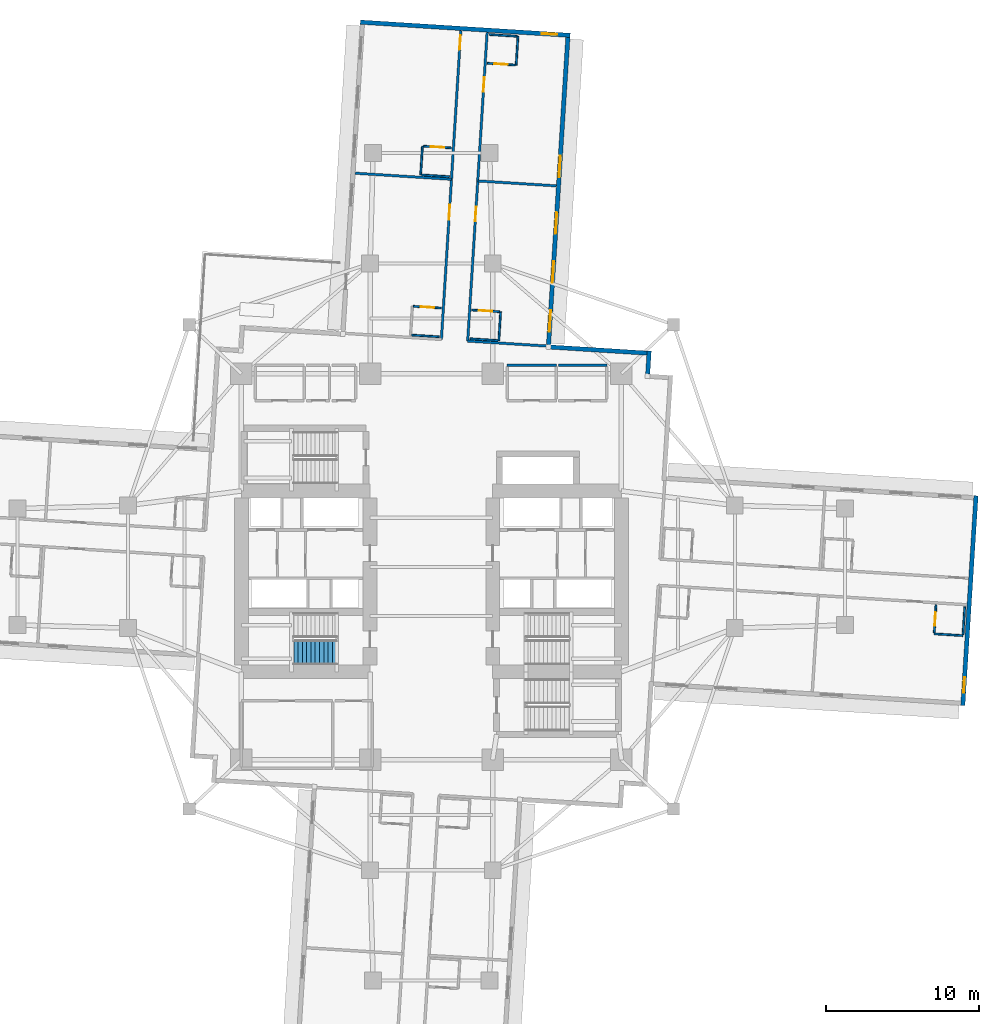
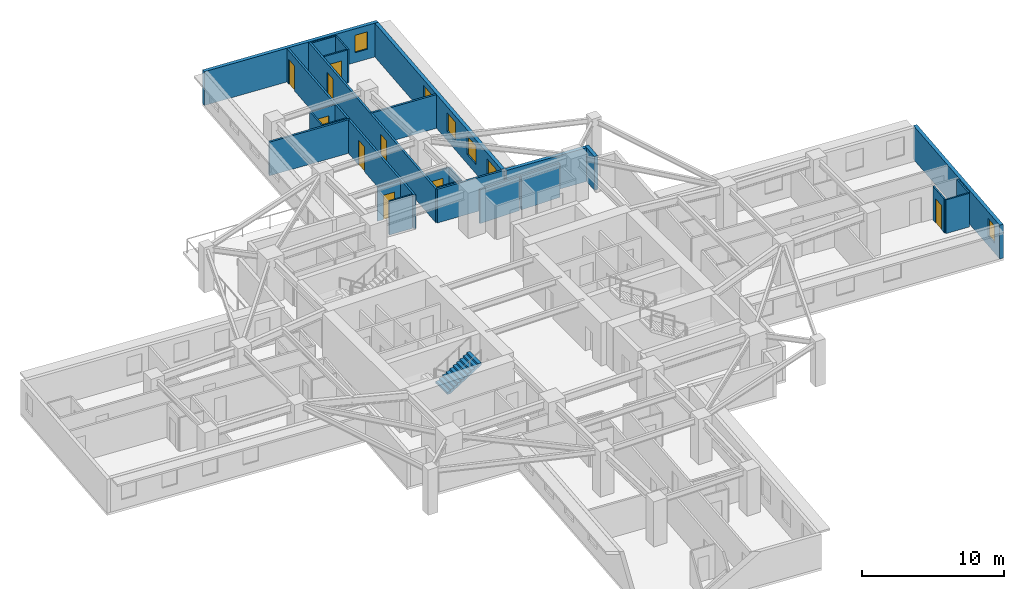
# One storey, part 8 of 14: 26 walls, 9 doors, 6 windows, 1 stair flight, 15 openings, 1 element without a shape of its own.
"""IFC4 building model written with IfcOpenShell, lengths in metres."""

from ifc_helpers import new_model, si_unit, direction, frame, frame_2d, origin, place, context, subcontext, project, spatial, polyline, rectangle, outline, extrude, material, layer, layer_set, type_object, element, fill, aggregate, save


model = new_model("IFC4")

# Units and contexts
model_context = context("Model", 3, precision=1e-05, world=origin(), true_north=direction((0.0, 1.0)))
body_context = subcontext(model_context, "Body", "Model", "MODEL_VIEW")
ifc_project = project(units=[si_unit("LENGTHUNIT", "METRE"), si_unit("AREAUNIT", "SQUARE_METRE"), si_unit("VOLUMEUNIT", "CUBIC_METRE"), si_unit("PLANEANGLEUNIT", "RADIAN"), si_unit("MASSUNIT", "GRAM", prefix="KILO")], contexts=[model_context])

# Site, building, storey
site_placement = place(None, origin())
site = spatial("IfcSite", under=ifc_project, at=site_placement, CompositionType="ELEMENT")
building_placement = place(site_placement, origin())
building = spatial("IfcBuilding", under=site, at=building_placement, Name="Qingluan Cross Belvedere", CompositionType="ELEMENT")
storey_placement = place(building_placement, frame((0.0, 0.0, 87.300048828125)))
storey = spatial("IfcBuildingStorey", under=building, at=storey_placement, Name="L22", CompositionType="ELEMENT", Elevation=87.300048828125)

# Walls
ifc_material_1 = material(Name="Gypsum plasterboard on steel stud acoustic partition", Category="steel")
ifc_layer_1 = layer(ifc_material_1, 0.159912109375, Name="CorridorPartition_160")
ifc_layer_set_1 = layer_set([ifc_layer_1], Name="Gypsum plasterboard on steel stud acoustic partition")
wall_type_1 = type_object("IfcWallType", Name="CorridorPartition_160", PredefinedType="PARTITIONING", material=ifc_layer_set_1)
wall_1_placement = place(storey_placement, frame((4.949951171875, 13.14990234375, 0.0), z_axis=(0.0, 0.0, 1.0), x_axis=(1.0, 0.0, 0.0)))
element("IfcWall", 1, at=wall_1_placement, inside=storey, type_object=wall_type_1, Name="Partition L22:q_ne1:N", PredefinedType="PARTITIONING", context=body_context, shape_type="SweptSolid", body=[
    extrude(rectangle(XDim=3.199951171875, YDim=0.159912109375, at=frame_2d((1.60009765625, 0.0))), origin(), (0.0, 0.0, 1.0), 2.89990234375),
])
wall_2_placement = place(storey_placement, frame((8.31005859375, 13.14990234375, 0.0), z_axis=(0.0, 0.0, 1.0), x_axis=(1.0, 0.0, 0.0)))
element("IfcWall", 2, at=wall_2_placement, inside=storey, type_object=wall_type_1, Name="Partition L22:q_ne2:N", PredefinedType="PARTITIONING", context=body_context, shape_type="SweptSolid", body=[
    extrude(rectangle(XDim=3.139892578125, YDim=0.159912109375, at=frame_2d((1.56982421875, 0.0))), origin(), (0.0, 0.0, 1.0), 2.89990234375),
])

# Wall, openings, doors
wall_3_placement = place(storey_placement, frame((2.36962890625, 14.730224609375, 0.0), z_axis=(0.0, 0.0, 1.0), x_axis=(0.062783460104, 0.998027172545, 0.0)))
wall_3 = element("IfcWall", 3, at=wall_3_placement, inside=storey, type_object=wall_type_1, Name="Partition L22:N:c0", PredefinedType="PARTITIONING", context=body_context, shape_type="SweptSolid", body=[
    extrude(rectangle(XDim=20.181884765625, YDim=0.159912109375, at=frame_2d((10.0908203125, 0.0))), origin(), (0.0, 0.0, 1.0), 2.89990234375),
])
opening_1_placement = place(wall_3_placement, frame((7.8359375, 0.0, 0.0)))
opening_1 = element("IfcOpeningElement", 4, at=opening_1_placement, cuts=wall_3, Name="Opening GD-10", PredefinedType="OPENING", context=body_context, shape_type="SweptSolid", body=[
    extrude(rectangle(XDim=0.9599609375, YDim=2.14990234375, at=frame_2d((0.47998046875, 1.074951171875))), frame((0.0, 0.08984375, 0.0), z_axis=(0.0, -1.0, 0.0), x_axis=(1.0, 0.0, 0.0)), (0.0, 0.0, 1.0), 0.179931640625),
])
opening_2_placement = place(wall_3_placement, frame((16.2958984375, 0.0, 0.0)))
opening_2 = element("IfcOpeningElement", 5, at=opening_2_placement, cuts=wall_3, Name="Opening GD-10", PredefinedType="OPENING", context=body_context, shape_type="SweptSolid", body=[
    extrude(rectangle(XDim=0.9599609375, YDim=2.14990234375, at=frame_2d((0.47998046875, 1.074951171875))), frame((0.0, 0.08984375, 0.0), z_axis=(0.0, -1.0, 0.0), x_axis=(1.0, 0.0, 0.0)), (0.0, 0.0, 1.0), 0.179931640625),
])
ifc_material_2 = material(Name="Timber oak fire-rated acoustic guestroom door", Category="wood")
door_type_1 = type_object("IfcDoorType", Name="GuestEntryDoor_FD60", OperationType="NOTDEFINED", PredefinedType="DOOR", material=ifc_material_2)
door_1_placement = place(opening_1_placement, origin())
door_1 = element("IfcDoor", 6, at=door_1_placement, inside=storey, type_object=door_type_1, Name="Guest entry fire door 2209", OperationType="SINGLE_SWING_LEFT", OverallHeight=2.14990234375, OverallWidth=0.9599609375, PredefinedType="DOOR", context=body_context, shape_type="SweptSolid", body=[
    extrude(rectangle(XDim=0.9599609375, YDim=2.14990234375, at=frame_2d((0.47998046875, 1.074951171875))), frame((0.0, 0.02490234375, 0.0), z_axis=(0.0, -1.0, 0.0), x_axis=(1.0, 0.0, 0.0)), (0.0, 0.0, 1.0), 0.050048828125),
])
fill(opening_1, door_1)
door_2_placement = place(opening_2_placement, origin())
door_2 = element("IfcDoor", 7, at=door_2_placement, inside=storey, type_object=door_type_1, Name="Guest entry fire door 2210", OperationType="SINGLE_SWING_LEFT", OverallHeight=2.14990234375, OverallWidth=0.9599609375, PredefinedType="DOOR", context=body_context, shape_type="SweptSolid", body=[
    extrude(rectangle(XDim=0.9599609375, YDim=2.14990234375, at=frame_2d((0.47998046875, 1.074951171875))), frame((0.0, 0.02490234375, 0.0), z_axis=(0.0, -1.0, 0.0), x_axis=(1.0, 0.0, 0.0)), (0.0, 0.0, 1.0), 0.050048828125),
])
fill(opening_2, door_2)

# Walls
wall_4_placement = place(storey_placement, frame((2.36962890625, 14.730224609375, 0.0), z_axis=(0.0, 0.0, 1.0), x_axis=(0.998026584059, -0.062792814175, 0.0)))
element("IfcWall", 8, at=wall_4_placement, inside=storey, type_object=wall_type_1, Name="Partition L22:N:s0", PredefinedType="PARTITIONING", context=body_context, shape_type="SweptSolid", body=[
    extrude(rectangle(XDim=5.280029296875, YDim=0.159912109375, at=frame_2d((2.64013671875, 0.0))), origin(), (0.0, 0.0, 1.0), 2.89990234375),
])
wall_5_placement = place(storey_placement, frame((3.027099609375, 25.1796875, 0.0), z_axis=(0.0, 0.0, 1.0), x_axis=(0.998026390953, -0.062795883315, 0.0)))
element("IfcWall", 9, at=wall_5_placement, inside=storey, type_object=wall_type_1, Name="Partition L22:N:d0_0", PredefinedType="PARTITIONING", context=body_context, shape_type="SweptSolid", body=[
    extrude(rectangle(XDim=5.1318359375, YDim=0.159912109375, at=frame_2d((2.56591796875, 0.0))), origin(), (0.0, 0.0, 1.0), 2.89990234375),
])

# Wall, openings, doors
wall_6_placement = place(storey_placement, frame((0.653076171875, 14.83837890625, 0.0), z_axis=(0.0, 0.0, 1.0), x_axis=(0.062783460104, 0.998027172545, 0.0)))
wall_6 = element("IfcWall", 10, at=wall_6_placement, inside=storey, type_object=wall_type_1, Name="Partition L22:N:c1", PredefinedType="PARTITIONING", context=body_context, shape_type="SweptSolid", body=[
    extrude(rectangle(XDim=20.181884765625, YDim=0.159912109375, at=frame_2d((10.0908203125, 0.0))), origin(), (0.0, 0.0, 1.0), 2.89990234375),
])
opening_3_placement = place(wall_6_placement, frame((7.8359375, 0.0, 0.0)))
opening_3 = element("IfcOpeningElement", 11, at=opening_3_placement, cuts=wall_6, Name="Opening GD-10", PredefinedType="OPENING", context=body_context, shape_type="SweptSolid", body=[
    extrude(rectangle(XDim=0.9599609375, YDim=2.14990234375, at=frame_2d((0.47998046875, 1.074951171875))), frame((0.0, 0.08984375, 0.0), z_axis=(0.0, -1.0, 0.0), x_axis=(1.0, 0.0, 0.0)), (0.0, 0.0, 1.0), 0.179931640625),
])
opening_4_placement = place(wall_6_placement, frame((18.929931640625, 0.0, 0.0)))
opening_4 = element("IfcOpeningElement", 12, at=opening_4_placement, cuts=wall_6, Name="Opening GD-10", PredefinedType="OPENING", context=body_context, shape_type="SweptSolid", body=[
    extrude(rectangle(XDim=0.9599609375, YDim=2.14990234375, at=frame_2d((0.47998046875, 1.074951171875))), frame((0.0, 0.08984375, 0.0), z_axis=(0.0, -1.0, 0.0), x_axis=(1.0, 0.0, 0.0)), (0.0, 0.0, 1.0), 0.179931640625),
])
door_3_placement = place(opening_3_placement, origin())
door_3 = element("IfcDoor", 13, at=door_3_placement, inside=storey, type_object=door_type_1, Name="Guest entry fire door 2211", OperationType="SINGLE_SWING_LEFT", OverallHeight=2.14990234375, OverallWidth=0.9599609375, PredefinedType="DOOR", context=body_context, shape_type="SweptSolid", body=[
    extrude(rectangle(XDim=0.9599609375, YDim=2.14990234375, at=frame_2d((0.47998046875, 1.074951171875))), frame((0.0, 0.02490234375, 0.0), z_axis=(0.0, -1.0, 0.0), x_axis=(1.0, 0.0, 0.0)), (0.0, 0.0, 1.0), 0.050048828125),
])
fill(opening_3, door_3)
door_4_placement = place(opening_4_placement, origin())
door_4 = element("IfcDoor", 14, at=door_4_placement, inside=storey, type_object=door_type_1, Name="Guest entry fire door 2212", OperationType="SINGLE_SWING_LEFT", OverallHeight=2.14990234375, OverallWidth=0.9599609375, PredefinedType="DOOR", context=body_context, shape_type="SweptSolid", body=[
    extrude(rectangle(XDim=0.9599609375, YDim=2.14990234375, at=frame_2d((0.47998046875, 1.074951171875))), frame((0.0, 0.02490234375, 0.0), z_axis=(0.0, -1.0, 0.0), x_axis=(1.0, 0.0, 0.0)), (0.0, 0.0, 1.0), 0.050048828125),
])
fill(opening_4, door_4)

# Wall
wall_7_placement = place(storey_placement, frame((1.310302734375, 25.28759765625, 0.0), z_axis=(0.0, 0.0, 1.0), x_axis=(-0.998027283173, 0.062781701496, 0.0)))
element("IfcWall", 15, at=wall_7_placement, inside=storey, type_object=wall_type_1, Name="Partition L22:N:d1_0", PredefinedType="PARTITIONING", context=body_context, shape_type="SweptSolid", body=[
    extrude(rectangle(XDim=6.2919921875, YDim=0.159912109375, at=frame_2d((3.14599609375, 0.0))), origin(), (0.0, 0.0, 1.0), 2.89990234375),
])

# Wall, opening, door
ifc_material_3 = material(Name="Moisture-resistant gypsum board lining")
ifc_layer_2 = layer(ifc_material_3, 0.1201171875, Name="EnsuiteWetPartition_120")
ifc_layer_set_2 = layer_set([ifc_layer_2], Name="Moisture-resistant gypsum board lining")
wall_type_2 = type_object("IfcWallType", Name="EnsuiteWetPartition_120", PredefinedType="PARTITIONING", material=ifc_layer_set_2)
wall_8_placement = place(storey_placement, frame((32.814208984375, -4.308837890625, 0.0), z_axis=(0.0, 0.0, 1.0), x_axis=(0.062779145668, 0.998027443946, 0.0)))
wall_8 = element("IfcWall", 16, at=wall_8_placement, inside=storey, type_object=wall_type_2, Name="Partition L22:E:bs1_1", PredefinedType="PARTITIONING", context=body_context, shape_type="SweptSolid", body=[
    extrude(rectangle(XDim=1.820068359375, YDim=0.1201171875, at=frame_2d((0.91015625, 0.0))), origin(), (0.0, 0.0, 1.0), 2.89990234375),
])
opening_5_placement = place(wall_8_placement, frame((0.469970703125, 0.0, 0.0)))
opening_5 = element("IfcOpeningElement", 17, at=opening_5_placement, cuts=wall_8, Name="Opening BD-09", PredefinedType="OPENING", context=body_context, shape_type="SweptSolid", body=[
    extrude(rectangle(XDim=0.8798828125, YDim=2.10009765625, at=frame_2d((0.43994140625, 1.050048828125))), frame((0.0, 0.070068359375, 0.0), z_axis=(0.0, -1.0, 0.0), x_axis=(1.0, 0.0, 0.0)), (0.0, 0.0, 1.0), 0.14013671875),
])
ifc_material_4 = material(Name="Moisture-sealed timber en-suite door", Category="wood")
door_type_2 = type_object("IfcDoorType", Name="BathroomDoor_880", OperationType="NOTDEFINED", PredefinedType="DOOR", material=ifc_material_4)
door_5_placement = place(opening_5_placement, origin())
door_5 = element("IfcDoor", 18, at=door_5_placement, inside=storey, type_object=door_type_2, Name="Bathroom door 2204", OperationType="SINGLE_SWING_RIGHT", OverallHeight=2.10009765625, OverallWidth=0.8798828125, PredefinedType="DOOR", context=body_context, shape_type="SweptSolid", body=[
    extrude(rectangle(XDim=0.8798828125, YDim=2.10009765625, at=frame_2d((0.43994140625, 1.050048828125))), frame((0.0, 0.02490234375, 0.0), z_axis=(0.0, -1.0, 0.0), x_axis=(1.0, 0.0, 0.0)), (0.0, 0.0, 1.0), 0.050048828125),
])
fill(opening_5, door_5)

# Walls
wall_9_placement = place(storey_placement, frame((34.6904296875, -4.427001953125, 0.0), z_axis=(0.0, 0.0, 1.0), x_axis=(0.062779145668, 0.998027443946, 0.0)))
element("IfcWall", 19, at=wall_9_placement, inside=storey, type_object=wall_type_2, Name="Partition L22:E:bw1_1", PredefinedType="PARTITIONING", context=body_context, shape_type="SweptSolid", body=[
    extrude(rectangle(XDim=1.820068359375, YDim=0.1201171875, at=frame_2d((0.91015625, 0.0))), origin(), (0.0, 0.0, 1.0), 2.89990234375),
])
wall_10_placement = place(storey_placement, frame((32.81005859375, -4.373779296875, 0.0), z_axis=(0.0, 0.0, 1.0), x_axis=(0.998030789148, -0.062725942896, 0.0)))
element("IfcWall", 20, at=wall_10_placement, inside=storey, type_object=wall_type_2, Name="Partition L22:E:bc1_1", PredefinedType="PARTITIONING", context=body_context, shape_type="SweptSolid", body=[
    extrude(rectangle(XDim=1.8798828125, YDim=0.1201171875, at=frame_2d((0.93994140625, 0.0))), origin(), (0.0, 0.0, 1.0), 2.89990234375),
])

# Wall, opening, door
wall_11_placement = place(storey_placement, frame((2.637451171875, 16.757568359375, 0.0), z_axis=(0.0, 0.0, 1.0), x_axis=(0.998027443946, -0.062779145668, 0.0)))
wall_11 = element("IfcWall", 21, at=wall_11_placement, inside=storey, type_object=wall_type_2, Name="Partition L22:N:bs0_0", PredefinedType="PARTITIONING", context=body_context, shape_type="SweptSolid", body=[
    extrude(rectangle(XDim=1.820068359375, YDim=0.1201171875, at=frame_2d((0.91015625, 0.0))), origin(), (0.0, 0.0, 1.0), 2.89990234375),
])
opening_6_placement = place(wall_11_placement, frame((0.469970703125, 0.0, 0.0)))
opening_6 = element("IfcOpeningElement", 22, at=opening_6_placement, cuts=wall_11, Name="Opening BD-09", PredefinedType="OPENING", context=body_context, shape_type="SweptSolid", body=[
    extrude(rectangle(XDim=0.8798828125, YDim=2.10009765625, at=frame_2d((0.43994140625, 1.050048828125))), frame((0.0, 0.070068359375, 0.0), z_axis=(0.0, -1.0, 0.0), x_axis=(1.0, 0.0, 0.0)), (0.0, 0.0, 1.0), 0.14013671875),
])
door_6_placement = place(opening_6_placement, origin())
door_6 = element("IfcDoor", 23, at=door_6_placement, inside=storey, type_object=door_type_2, Name="Bathroom door 2209", OperationType="SINGLE_SWING_RIGHT", OverallHeight=2.10009765625, OverallWidth=0.8798828125, PredefinedType="DOOR", context=body_context, shape_type="SweptSolid", body=[
    extrude(rectangle(XDim=0.8798828125, YDim=2.10009765625, at=frame_2d((0.43994140625, 1.050048828125))), frame((0.0, 0.02490234375, 0.0), z_axis=(0.0, -1.0, 0.0), x_axis=(1.0, 0.0, 0.0)), (0.0, 0.0, 1.0), 0.050048828125),
])
fill(opening_6, door_6)

# Walls
wall_12_placement = place(storey_placement, frame((2.519287109375, 14.881103515625, 0.0), z_axis=(0.0, 0.0, 1.0), x_axis=(0.998027443946, -0.062779145668, 0.0)))
element("IfcWall", 24, at=wall_12_placement, inside=storey, type_object=wall_type_2, Name="Partition L22:N:bw0_0", PredefinedType="PARTITIONING", context=body_context, shape_type="SweptSolid", body=[
    extrude(rectangle(XDim=1.820068359375, YDim=0.1201171875, at=frame_2d((0.91015625, 0.0))), origin(), (0.0, 0.0, 1.0), 2.89990234375),
])
wall_13_placement = place(storey_placement, frame((4.400634765625, 14.7626953125, 0.0), z_axis=(0.0, 0.0, 1.0), x_axis=(0.062847152131, 0.998023163794, 0.0)))
element("IfcWall", 25, at=wall_13_placement, inside=storey, type_object=wall_type_2, Name="Partition L22:N:bn0_0", PredefinedType="PARTITIONING", context=body_context, shape_type="SweptSolid", body=[
    extrude(rectangle(XDim=1.880126953125, YDim=0.1201171875, at=frame_2d((0.93994140625, 0.0))), origin(), (0.0, 0.0, 1.0), 2.89990234375),
])

# Wall, opening, door
wall_14_placement = place(storey_placement, frame((3.650146484375, 32.855712890625, 0.0), z_axis=(0.0, 0.0, 1.0), x_axis=(0.998027443946, -0.062779145668, 0.0)))
wall_14 = element("IfcWall", 26, at=wall_14_placement, inside=storey, type_object=wall_type_2, Name="Partition L22:N:bs0_1", PredefinedType="PARTITIONING", context=body_context, shape_type="SweptSolid", body=[
    extrude(rectangle(XDim=1.820068359375, YDim=0.1201171875, at=frame_2d((0.91015625, 0.0))), origin(), (0.0, 0.0, 1.0), 2.89990234375),
])
opening_7_placement = place(wall_14_placement, frame((0.469970703125, 0.0, 0.0)))
opening_7 = element("IfcOpeningElement", 27, at=opening_7_placement, cuts=wall_14, Name="Opening BD-09", PredefinedType="OPENING", context=body_context, shape_type="SweptSolid", body=[
    extrude(rectangle(XDim=0.8798828125, YDim=2.10009765625, at=frame_2d((0.43994140625, 1.050048828125))), frame((0.0, 0.070068359375, 0.0), z_axis=(0.0, -1.0, 0.0), x_axis=(1.0, 0.0, 0.0)), (0.0, 0.0, 1.0), 0.14013671875),
])
door_7_placement = place(opening_7_placement, origin())
door_7 = element("IfcDoor", 28, at=door_7_placement, inside=storey, type_object=door_type_2, Name="Bathroom door 2210", OperationType="SINGLE_SWING_RIGHT", OverallHeight=2.10009765625, OverallWidth=0.8798828125, PredefinedType="DOOR", context=body_context, shape_type="SweptSolid", body=[
    extrude(rectangle(XDim=0.8798828125, YDim=2.10009765625, at=frame_2d((0.43994140625, 1.050048828125))), frame((0.0, 0.02490234375, 0.0), z_axis=(0.0, -1.0, 0.0), x_axis=(1.0, 0.0, 0.0)), (0.0, 0.0, 1.0), 0.050048828125),
])
fill(opening_7, door_7)

# Walls
wall_15_placement = place(storey_placement, frame((3.768310546875, 34.73193359375, 0.0), z_axis=(0.0, 0.0, 1.0), x_axis=(0.998027443946, -0.062779145668, 0.0)))
element("IfcWall", 29, at=wall_15_placement, inside=storey, type_object=wall_type_2, Name="Partition L22:N:bw0_1", PredefinedType="PARTITIONING", context=body_context, shape_type="SweptSolid", body=[
    extrude(rectangle(XDim=1.820068359375, YDim=0.1201171875, at=frame_2d((0.91015625, 0.0))), origin(), (0.0, 0.0, 1.0), 2.89990234375),
])
wall_16_placement = place(storey_placement, frame((5.531494140625, 32.7373046875, 0.0), z_axis=(0.0, 0.0, 1.0), x_axis=(0.062855297722, 0.998022650819, 0.0)))
element("IfcWall", 30, at=wall_16_placement, inside=storey, type_object=wall_type_2, Name="Partition L22:N:bn0_1", PredefinedType="PARTITIONING", context=body_context, shape_type="SweptSolid", body=[
    extrude(rectangle(XDim=1.8798828125, YDim=0.1201171875, at=frame_2d((0.93994140625, 0.0))), origin(), (0.0, 0.0, 1.0), 2.89990234375),
])

# Wall, opening, door
wall_17_placement = place(storey_placement, frame((-1.175048828125, 16.997314453125, 0.0), z_axis=(0.0, 0.0, 1.0), x_axis=(0.998027443946, -0.062779145668, 0.0)))
wall_17 = element("IfcWall", 31, at=wall_17_placement, inside=storey, type_object=wall_type_2, Name="Partition L22:N:bs1_0", PredefinedType="PARTITIONING", context=body_context, shape_type="SweptSolid", body=[
    extrude(rectangle(XDim=1.820068359375, YDim=0.1201171875, at=frame_2d((0.91015625, 0.0))), origin(), (0.0, 0.0, 1.0), 2.89990234375),
])
opening_8_placement = place(wall_17_placement, frame((0.469970703125, 0.0, 0.0)))
opening_8 = element("IfcOpeningElement", 32, at=opening_8_placement, cuts=wall_17, Name="Opening BD-09", PredefinedType="OPENING", context=body_context, shape_type="SweptSolid", body=[
    extrude(rectangle(XDim=0.8798828125, YDim=2.10009765625, at=frame_2d((0.43994140625, 1.050048828125))), frame((0.0, 0.070068359375, 0.0), z_axis=(0.0, -1.0, 0.0), x_axis=(1.0, 0.0, 0.0)), (0.0, 0.0, 1.0), 0.14013671875),
])
door_8_placement = place(opening_8_placement, origin())
door_8 = element("IfcDoor", 33, at=door_8_placement, inside=storey, type_object=door_type_2, Name="Bathroom door 2211", OperationType="SINGLE_SWING_RIGHT", OverallHeight=2.10009765625, OverallWidth=0.8798828125, PredefinedType="DOOR", context=body_context, shape_type="SweptSolid", body=[
    extrude(rectangle(XDim=0.8798828125, YDim=2.10009765625, at=frame_2d((0.43994140625, 1.050048828125))), frame((0.0, 0.02490234375, 0.0), z_axis=(0.0, -1.0, 0.0), x_axis=(1.0, 0.0, 0.0)), (0.0, 0.0, 1.0), 0.050048828125),
])
fill(opening_8, door_8)

# Wall
wall_18_placement = place(storey_placement, frame((-1.293212890625, 15.12109375, 0.0), z_axis=(0.0, 0.0, 1.0), x_axis=(0.998027443946, -0.062779145668, 0.0)))
element("IfcWall", 34, at=wall_18_placement, inside=storey, type_object=wall_type_2, Name="Partition L22:N:bw1_0", PredefinedType="PARTITIONING", context=body_context, shape_type="SweptSolid", body=[
    extrude(rectangle(XDim=1.820068359375, YDim=0.1201171875, at=frame_2d((0.91015625, 0.0))), origin(), (0.0, 0.0, 1.0), 2.89990234375),
])

# Wall, opening, door
wall_19_placement = place(storey_placement, frame((-0.517578125, 27.44677734375, 0.0), z_axis=(0.0, 0.0, 1.0), x_axis=(0.998027443946, -0.062779145668, 0.0)))
wall_19 = element("IfcWall", 35, at=wall_19_placement, inside=storey, type_object=wall_type_2, Name="Partition L22:N:bs1_1", PredefinedType="PARTITIONING", context=body_context, shape_type="SweptSolid", body=[
    extrude(rectangle(XDim=1.820068359375, YDim=0.1201171875, at=frame_2d((0.91015625, 0.0))), origin(), (0.0, 0.0, 1.0), 2.89990234375),
])
opening_9_placement = place(wall_19_placement, frame((0.469970703125, 0.0, 0.0)))
opening_9 = element("IfcOpeningElement", 36, at=opening_9_placement, cuts=wall_19, Name="Opening BD-09", PredefinedType="OPENING", context=body_context, shape_type="SweptSolid", body=[
    extrude(rectangle(XDim=0.8798828125, YDim=2.10009765625, at=frame_2d((0.43994140625, 1.050048828125))), frame((0.0, 0.070068359375, 0.0), z_axis=(0.0, -1.0, 0.0), x_axis=(1.0, 0.0, 0.0)), (0.0, 0.0, 1.0), 0.14013671875),
])
door_9_placement = place(opening_9_placement, origin())
door_9 = element("IfcDoor", 37, at=door_9_placement, inside=storey, type_object=door_type_2, Name="Bathroom door 2212", OperationType="SINGLE_SWING_RIGHT", OverallHeight=2.10009765625, OverallWidth=0.8798828125, PredefinedType="DOOR", context=body_context, shape_type="SweptSolid", body=[
    extrude(rectangle(XDim=0.8798828125, YDim=2.10009765625, at=frame_2d((0.43994140625, 1.050048828125))), frame((0.0, 0.02490234375, 0.0), z_axis=(0.0, -1.0, 0.0), x_axis=(1.0, 0.0, 0.0)), (0.0, 0.0, 1.0), 0.050048828125),
])
fill(opening_9, door_9)

# Walls
wall_20_placement = place(storey_placement, frame((-0.6357421875, 25.5703125, 0.0), z_axis=(0.0, 0.0, 1.0), x_axis=(0.998027443946, -0.062779145668, 0.0)))
element("IfcWall", 38, at=wall_20_placement, inside=storey, type_object=wall_type_2, Name="Partition L22:N:bw1_1", PredefinedType="PARTITIONING", context=body_context, shape_type="SweptSolid", body=[
    extrude(rectangle(XDim=1.820068359375, YDim=0.1201171875, at=frame_2d((0.91015625, 0.0))), origin(), (0.0, 0.0, 1.0), 2.89990234375),
])
wall_21_placement = place(storey_placement, frame((-0.700439453125, 25.574462890625, 0.0), z_axis=(0.0, 0.0, 1.0), x_axis=(0.062725942896, 0.998030789148, 0.0)))
element("IfcWall", 39, at=wall_21_placement, inside=storey, type_object=wall_type_2, Name="Partition L22:N:bc1_1", PredefinedType="PARTITIONING", context=body_context, shape_type="SweptSolid", body=[
    extrude(rectangle(XDim=1.8798828125, YDim=0.1201171875, at=frame_2d((0.93994140625, 0.0))), origin(), (0.0, 0.0, 1.0), 2.89990234375),
])

# Wall, opening, window
ifc_material_5 = material(Name="Precast concrete C45", Category="concrete")
ifc_layer_3 = layer(ifc_material_5, 0.280029296875, Name="PrecastFacadeWall_280")
ifc_layer_set_3 = layer_set([ifc_layer_3], Name="Precast concrete C45")
wall_type_3 = type_object("IfcWallType", Name="PrecastFacadeWall_280", PredefinedType="STANDARD", material=ifc_layer_set_3)
wall_22_placement = place(storey_placement, frame((34.6796875, -9.055419921875, 0.0), z_axis=(0.0, 0.0, 1.0), x_axis=(0.062797041623, 0.998026318072, 0.0)))
wall_22 = element("IfcWall", 40, at=wall_22_placement, inside=storey, type_object=wall_type_3, Name="Arm tip precast facade wall L22-E", PredefinedType="STANDARD", context=body_context, shape_type="SweptSolid", body=[
    extrude(rectangle(XDim=13.719970703125, YDim=0.280029296875, at=frame_2d((6.85986328125, 0.0))), origin(), (0.0, 0.0, 1.0), 2.909912109375),
])
opening_10_placement = place(wall_22_placement, frame((0.85009765625, 0.0, 0.85009765625)))
opening_10 = element("IfcOpeningElement", 41, at=opening_10_placement, cuts=wall_22, Name="Opening W-03", PredefinedType="OPENING", context=body_context, shape_type="SweptSolid", body=[
    extrude(rectangle(XDim=1.0, YDim=1.5, at=frame_2d((0.5, 0.75))), frame((0.0, 0.14990234375, 0.0), z_axis=(0.0, -1.0, 0.0), x_axis=(1.0, 0.0, 0.0)), (0.0, 0.0, 1.0), 0.300048828125),
])
ifc_material_6 = material(Name="Thermally broken triple Low-E glass in aluminium frame", Category="aluminium")
window_type_1 = type_object("IfcWindowType", Name="TriApexWin_1000x1500", PartitioningType="SINGLE_PANEL", PredefinedType="WINDOW", material=ifc_material_6)
window_1_placement = place(opening_10_placement, origin())
window_1 = element("IfcWindow", 42, at=window_1_placement, inside=storey, type_object=window_type_1, Name="Arm tip triangular window L22-E", OverallHeight=1.5, OverallWidth=1.0, PartitioningType="SINGLE_PANEL", PredefinedType="WINDOW", context=body_context, shape_type="SweptSolid", body=[
    extrude(rectangle(XDim=1.0, YDim=1.5, at=frame_2d((0.5, 0.75))), frame((0.0, 0.030029296875, 0.0), z_axis=(0.0, -1.0, 0.0), x_axis=(1.0, 0.0, 0.0)), (0.0, 0.0, 1.0), 0.06005859375),
])
fill(opening_10, window_1)

# Wall, openings, windows
wall_23_placement = place(storey_placement, frame((7.644775390625, 14.488525390625, 0.0), z_axis=(0.0, 0.0, 1.0), x_axis=(0.06279645424, 0.99802635503, 0.0)))
wall_23 = element("IfcWall", 43, at=wall_23_placement, inside=storey, type_object=wall_type_3, Name="Facade wall L22-NA", PredefinedType="STANDARD", context=body_context, shape_type="SweptSolid", body=[
    extrude(rectangle(XDim=20.099853515625, YDim=0.280029296875, at=frame_2d((10.0498046875, 0.0))), origin(), (0.0, 0.0, 1.0), 2.909912109375),
])
opening_11_placement = place(wall_23_placement, frame((0.85009765625, 0.0, 0.800048828125)))
opening_11 = element("IfcOpeningElement", 44, at=opening_11_placement, cuts=wall_23, Name="Opening W-01", PredefinedType="OPENING", context=body_context, shape_type="SweptSolid", body=[
    extrude(rectangle(XDim=1.39990234375, YDim=1.60009765625, at=frame_2d((0.699951171875, 0.800048828125))), frame((0.0, 0.14990234375, 0.0), z_axis=(0.0, -1.0, 0.0), x_axis=(1.0, 0.0, 0.0)), (0.0, 0.0, 1.0), 0.300048828125),
])
opening_12_placement = place(wall_23_placement, frame((4.050048828125, 0.0, 0.800048828125)))
opening_12 = element("IfcOpeningElement", 45, at=opening_12_placement, cuts=wall_23, Name="Opening W-01", PredefinedType="OPENING", context=body_context, shape_type="SweptSolid", body=[
    extrude(rectangle(XDim=1.39990234375, YDim=1.60009765625, at=frame_2d((0.699951171875, 0.800048828125))), frame((0.0, 0.14990234375, 0.0), z_axis=(0.0, -1.0, 0.0), x_axis=(1.0, 0.0, 0.0)), (0.0, 0.0, 1.0), 0.300048828125),
])
opening_13_placement = place(wall_23_placement, frame((7.25, 0.0, 0.800048828125)))
opening_13 = element("IfcOpeningElement", 46, at=opening_13_placement, cuts=wall_23, Name="Opening W-01", PredefinedType="OPENING", context=body_context, shape_type="SweptSolid", body=[
    extrude(rectangle(XDim=1.39990234375, YDim=1.60009765625, at=frame_2d((0.699951171875, 0.800048828125))), frame((0.0, 0.14990234375, 0.0), z_axis=(0.0, -1.0, 0.0), x_axis=(1.0, 0.0, 0.0)), (0.0, 0.0, 1.0), 0.300048828125),
])
opening_14_placement = place(wall_23_placement, frame((10.949951171875, 0.0, 0.800048828125)))
opening_14 = element("IfcOpeningElement", 47, at=opening_14_placement, cuts=wall_23, Name="Opening W-01", PredefinedType="OPENING", context=body_context, shape_type="SweptSolid", body=[
    extrude(rectangle(XDim=1.39990234375, YDim=1.60009765625, at=frame_2d((0.699951171875, 0.800048828125))), frame((0.0, 0.14990234375, 0.0), z_axis=(0.0, -1.0, 0.0), x_axis=(1.0, 0.0, 0.0)), (0.0, 0.0, 1.0), 0.300048828125),
])
ifc_material_7 = material(Name="Thermally broken triple Low-E glass in aluminium frame", Category="aluminium")
window_type_2 = type_object("IfcWindowType", Name="TriRibbonWin_1400x1600", PartitioningType="SINGLE_PANEL", PredefinedType="WINDOW", material=ifc_material_7)
window_2_placement = place(opening_11_placement, origin())
window_2 = element("IfcWindow", 48, at=window_2_placement, inside=storey, type_object=window_type_2, Name="Ribbon window L22-NA-1", OverallHeight=1.60009765625, OverallWidth=1.39990234375, PartitioningType="SINGLE_PANEL", PredefinedType="WINDOW", context=body_context, shape_type="SweptSolid", body=[
    extrude(rectangle(XDim=1.39990234375, YDim=1.60009765625, at=frame_2d((0.699951171875, 0.800048828125))), frame((0.0, 0.030029296875, 0.0), z_axis=(0.0, -1.0, 0.0), x_axis=(1.0, 0.0, 0.0)), (0.0, 0.0, 1.0), 0.06005859375),
])
fill(opening_11, window_2)
window_3_placement = place(opening_12_placement, origin())
window_3 = element("IfcWindow", 49, at=window_3_placement, inside=storey, type_object=window_type_2, Name="Ribbon window L22-NA-2", OverallHeight=1.60009765625, OverallWidth=1.39990234375, PartitioningType="SINGLE_PANEL", PredefinedType="WINDOW", context=body_context, shape_type="SweptSolid", body=[
    extrude(rectangle(XDim=1.39990234375, YDim=1.60009765625, at=frame_2d((0.699951171875, 0.800048828125))), frame((0.0, 0.030029296875, 0.0), z_axis=(0.0, -1.0, 0.0), x_axis=(1.0, 0.0, 0.0)), (0.0, 0.0, 1.0), 0.06005859375),
])
fill(opening_12, window_3)
window_4_placement = place(opening_13_placement, origin())
window_4 = element("IfcWindow", 50, at=window_4_placement, inside=storey, type_object=window_type_2, Name="Ribbon window L22-NA-3", OverallHeight=1.60009765625, OverallWidth=1.39990234375, PartitioningType="SINGLE_PANEL", PredefinedType="WINDOW", context=body_context, shape_type="SweptSolid", body=[
    extrude(rectangle(XDim=1.39990234375, YDim=1.60009765625, at=frame_2d((0.699951171875, 0.800048828125))), frame((0.0, 0.030029296875, 0.0), z_axis=(0.0, -1.0, 0.0), x_axis=(1.0, 0.0, 0.0)), (0.0, 0.0, 1.0), 0.06005859375),
])
fill(opening_13, window_4)
window_5_placement = place(opening_14_placement, origin())
window_5 = element("IfcWindow", 51, at=window_5_placement, inside=storey, type_object=window_type_2, Name="Ribbon window L22-NA-4", OverallHeight=1.60009765625, OverallWidth=1.39990234375, PartitioningType="SINGLE_PANEL", PredefinedType="WINDOW", context=body_context, shape_type="SweptSolid", body=[
    extrude(rectangle(XDim=1.39990234375, YDim=1.60009765625, at=frame_2d((0.699951171875, 0.800048828125))), frame((0.0, 0.030029296875, 0.0), z_axis=(0.0, -1.0, 0.0), x_axis=(1.0, 0.0, 0.0)), (0.0, 0.0, 1.0), 0.06005859375),
])
fill(opening_14, window_5)

# Wall, opening, window
wall_24_placement = place(storey_placement, frame((9.055419921875, 34.6796875, 0.0), z_axis=(0.0, 0.0, 1.0), x_axis=(-0.998026318072, 0.062797041623, 0.0)))
wall_24 = element("IfcWall", 52, at=wall_24_placement, inside=storey, type_object=wall_type_3, Name="Arm tip precast facade wall L22-N", PredefinedType="STANDARD", context=body_context, shape_type="SweptSolid", body=[
    extrude(rectangle(XDim=13.719970703125, YDim=0.280029296875, at=frame_2d((6.85986328125, 0.0))), origin(), (0.0, 0.0, 1.0), 2.909912109375),
])
opening_15_placement = place(wall_24_placement, frame((0.85009765625, 0.0, 0.85009765625)))
opening_15 = element("IfcOpeningElement", 53, at=opening_15_placement, cuts=wall_24, Name="Opening W-03", PredefinedType="OPENING", context=body_context, shape_type="SweptSolid", body=[
    extrude(rectangle(XDim=1.0, YDim=1.5, at=frame_2d((0.5, 0.75))), frame((0.0, 0.14990234375, 0.0), z_axis=(0.0, -1.0, 0.0), x_axis=(1.0, 0.0, 0.0)), (0.0, 0.0, 1.0), 0.300048828125),
])
window_6_placement = place(opening_15_placement, origin())
window_6 = element("IfcWindow", 54, at=window_6_placement, inside=storey, type_object=window_type_1, Name="Arm tip triangular window L22-N", OverallHeight=1.5, OverallWidth=1.0, PartitioningType="SINGLE_PANEL", PredefinedType="WINDOW", context=body_context, shape_type="SweptSolid", body=[
    extrude(rectangle(XDim=1.0, YDim=1.5, at=frame_2d((0.5, 0.75))), frame((0.0, 0.030029296875, 0.0), z_axis=(0.0, -1.0, 0.0), x_axis=(1.0, 0.0, 0.0)), (0.0, 0.0, 1.0), 0.06005859375),
])
fill(opening_15, window_6)

# Walls
wall_25_placement = place(storey_placement, frame((14.11767578125, 12.578369140625, 0.0), z_axis=(0.0, 0.0, 1.0), x_axis=(0.062824119533, 0.998024613927, 0.0)))
element("IfcWall", 55, at=wall_25_placement, inside=storey, type_object=wall_type_3, Name="Corner wall L22-NE3", PredefinedType="STANDARD", context=body_context, shape_type="SweptSolid", body=[
    extrude(rectangle(XDim=1.5, YDim=0.280029296875, at=frame_2d((0.75, 0.0))), origin(), (0.0, 0.0, 1.0), 2.909912109375),
])
wall_26_placement = place(storey_placement, frame((14.063232421875, 13.944580078125, 0.0), z_axis=(0.0, 0.0, 1.0), x_axis=(-0.998027314704, 0.062781200242, 0.0)))
element("IfcWall", 56, at=wall_26_placement, inside=storey, type_object=wall_type_3, Name="Corner wall L22-NE4", PredefinedType="STANDARD", context=body_context, shape_type="SweptSolid", body=[
    extrude(rectangle(XDim=6.2998046875, YDim=0.280029296875, at=frame_2d((3.14990234375, 0.0))), origin(), (0.0, 0.0, 1.0), 2.909912109375),
])

# Stair, stair flight
ifc_material_8 = material(Name="Concrete C40", Category="concrete")
stair_type = type_object("IfcStairType", Name="CoreDoglegStair_1620", PredefinedType="HALF_TURN_STAIR", material=ifc_material_8)
stair_placement = place(storey_placement, origin())
stair = element("IfcStair", 57, at=stair_placement, inside=storey, type_object=stair_type, Name="L22 ST1", PredefinedType="HALF_TURN_STAIR")
ifc_material_9 = material(Name="Concrete C40", Category="concrete")
ifc_layer_4 = layer(ifc_material_9, 0.179931640625, Name="StairFlight_RC180")
ifc_layer_set_4 = layer_set([ifc_layer_4], Name="Concrete C40")
stair_flight_type = type_object("IfcStairFlightType", Name="StairFlight_RC180", PredefinedType="STRAIGHT", material=ifc_layer_set_4)
stair_flight_placement = place(storey_placement, frame((-8.97998046875, -5.590087890625, 1.949951171875), z_axis=(0.0, 0.0, 1.0), x_axis=(1.0, 0.0, 0.0)))
stair_flight = element("IfcStairFlight", 58, at=stair_flight_placement, type_object=stair_flight_type, Name="ST1 flight 2", NumberOfRisers=11, NumberOfTreads=10, PredefinedType="STRAIGHT", RiserHeight=0.177272727, TreadLength=0.28, context=body_context, shape_type="SweptSolid", body=[
    extrude(outline(polyline([(0.0, 0.0), (0.0, 0.17724609375), (0.280029296875, 0.17724609375), (0.280029296875, 0.3544921875), (0.56005859375, 0.3544921875), (0.56005859375, 0.53173828125), (0.840087890625, 0.53173828125), (0.840087890625, 0.708984375), (1.1201171875, 0.708984375), (1.1201171875, 0.886474609375), (1.39990234375, 0.886474609375), (1.39990234375, 1.063720703125), (1.679931640625, 1.063720703125), (1.679931640625, 1.240966796875), (1.9599609375, 1.240966796875), (1.9599609375, 1.418212890625), (2.239990234375, 1.418212890625), (2.239990234375, 1.595458984375), (2.52001953125, 1.595458984375), (2.52001953125, 1.772705078125), (2.800048828125, 1.772705078125), (2.800048828125, 1.949951171875), (2.800048828125, 1.59521484375), (0.2802734375, 0.0), (0.0, 0.0)])), frame((0.0, 0.81005859375, 0.0), z_axis=(0.0, -1.0, 0.0), x_axis=(1.0, 0.0, 0.0)), (0.0, 0.0, 1.0), 1.6201171875),
])
aggregate(stair, [stair_flight])

save(model, "model.ifc")
